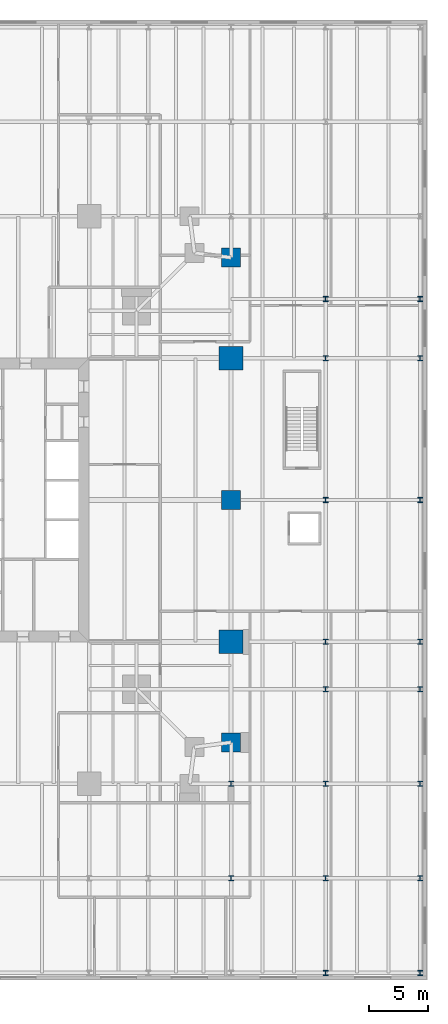
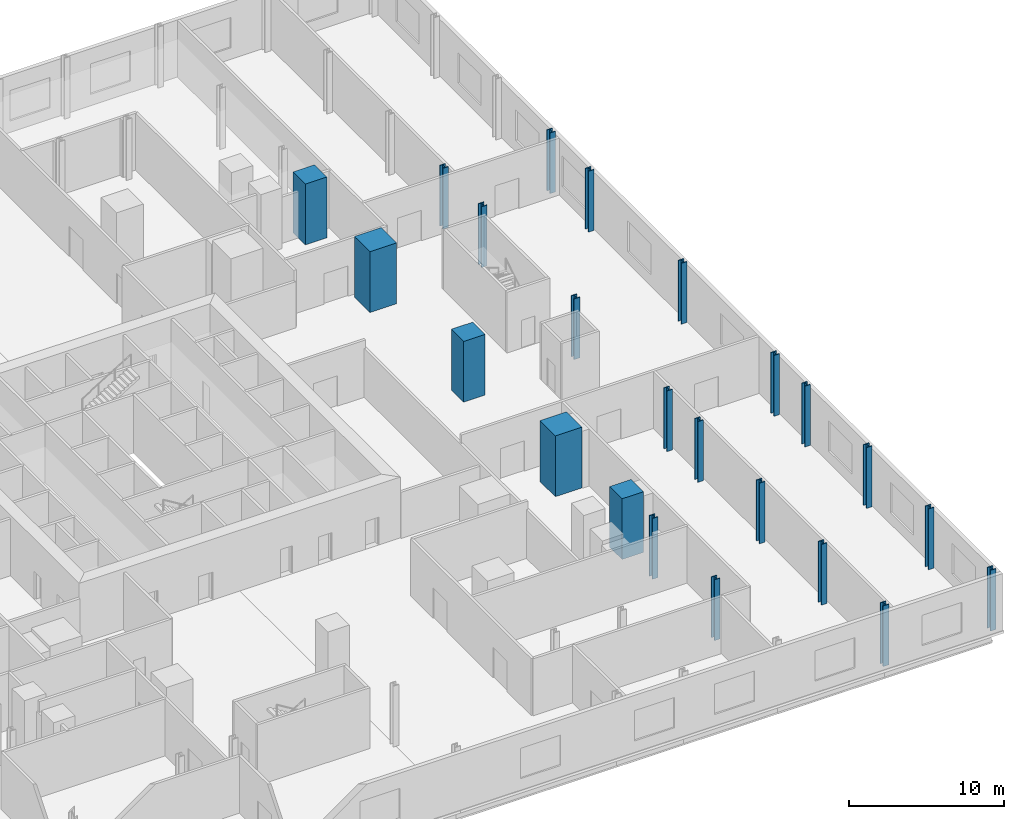
# One storey, part 2 of 16: 23 columns.
"""IFC4 building model written with IfcOpenShell, lengths in metres."""

from ifc_helpers import new_model, si_unit, direction, frame, origin, origin_2d, place, context, subcontext, project, spatial, rectangle, i_section, extrude, material, material_profile, profile_set, type_object, element, save


model = new_model("IFC4")

# Units and contexts
model_context = context("Model", 3, precision=1e-05, world=origin(), true_north=direction((0.0, 1.0)))
body_context = subcontext(model_context, "Body", "Model", "MODEL_VIEW")
ifc_project = project(units=[si_unit("LENGTHUNIT", "METRE"), si_unit("AREAUNIT", "SQUARE_METRE"), si_unit("VOLUMEUNIT", "CUBIC_METRE"), si_unit("PLANEANGLEUNIT", "RADIAN"), si_unit("MASSUNIT", "GRAM", prefix="KILO")], contexts=[model_context])

# Site, building, storey
site_placement = place(None, origin())
site = spatial("IfcSite", under=ifc_project, at=site_placement, CompositionType="ELEMENT")
building_placement = place(site_placement, origin())
building = spatial("IfcBuilding", under=site, at=building_placement, Name="Fenwick Lantern Interchange", CompositionType="ELEMENT")
storey_placement = place(building_placement, frame((0.0, 0.0, 7.0)))
storey = spatial("IfcBuildingStorey", under=building, at=storey_placement, Name="L01", CompositionType="ELEMENT", Elevation=7.0)

# Columns
ifc_material_1 = material(Name="Concrete f'c 70 MPa", Category="concrete")
ifc_material_profile_1 = material_profile(ifc_material_1, rectangle(XDim=1.60009765625, YDim=1.60009765625, at=origin_2d()), Name="RC1600X1600")
ifc_profile_set_1 = profile_set([ifc_material_profile_1], Name="Concrete f'c 70 MPa")
column_type_1 = type_object("IfcColumnType", Name="PERIMETER COLUMN RC1600X1600", PredefinedType="COLUMN", material=ifc_profile_set_1)
for number, where, z_axis, x_axis, name in (
    (1, (49.0, 4.5, 0.0), (0.0, 0.0, 1.0), (1.0, 0.0, 0.0), "L01/CE1"),
    (2, (49.0, 25.0, 0.0), (0.0, 0.0, 1.0), (1.0, 0.0, 0.0), "L01/CE3"),
    (3, (49.0, 45.5, 0.0), (0.0, 0.0, 1.0), (1.0, 0.0, 0.0), "L01/CE5"),
):
    element("IfcColumn", number, at=place(storey_placement, frame(where, z_axis=z_axis, x_axis=x_axis)), inside=storey, type_object=column_type_1, Name=name, PredefinedType="COLUMN", context=body_context, shape_type="SweptSolid", body=[
        extrude(rectangle(XDim=1.60009765625, YDim=1.60009765625, at=origin_2d()), origin(), (0.0, 0.0, 1.0), 4.800048828125),
    ])
ifc_material_profile_2 = material_profile(ifc_material_1, rectangle(XDim=2.0, YDim=2.0, at=origin_2d()), Name="RC2000X2000")
ifc_profile_set_2 = profile_set([ifc_material_profile_2], Name="Concrete f'c 70 MPa")
column_type_2 = type_object("IfcColumnType", Name="PERIMETER COLUMN RC2000X2000", PredefinedType="COLUMN", material=ifc_profile_set_2)
for number, where, z_axis, x_axis, name in (
    (4, (49.0, 13.0, 0.0), (0.0, 0.0, 1.0), (1.0, 0.0, 0.0), "L01/CE2"),
    (5, (49.0, 37.0, 0.0), (0.0, 0.0, 1.0), (1.0, 0.0, 0.0), "L01/CE4"),
):
    element("IfcColumn", number, at=place(storey_placement, frame(where, z_axis=z_axis, x_axis=x_axis)), inside=storey, type_object=column_type_2, Name=name, PredefinedType="COLUMN", context=body_context, shape_type="SweptSolid", body=[
        extrude(rectangle(XDim=2.0, YDim=2.0, at=origin_2d()), origin(), (0.0, 0.0, 1.0), 4.800048828125),
    ])
ifc_material_2 = material(Name="Steel ASTM A992 Grade 50", Category="steel")
ifc_material_profile_3 = material_profile(ifc_material_2, i_section(OverallWidth=0.41650390625, OverallDepth=0.444580078125, WebThickness=0.0390625, FlangeThickness=0.062744140625, at=origin_2d()), Name="W14X342")
ifc_profile_set_3 = profile_set([ifc_material_profile_3], Name="Steel ASTM A992 Grade 50")
column_type_3 = type_object("IfcColumnType", Name="PODIUM COLUMN W14X342", PredefinedType="COLUMN", material=ifc_profile_set_3)
for number, where, z_axis, x_axis, name in (
    (6, (49.0, -7.0, 0.0), (0.0, 0.0, 1.0), (1.0, 0.0, 0.0), "L01/PB9"),
    (7, (49.0, 1.0, 0.0), (0.0, 0.0, 1.0), (1.0, 0.0, 0.0), "L01/PC9"),
    (8, (57.0, -15.0, 0.0), (0.0, 0.0, 1.0), (1.0, 0.0, 0.0), "L01/PA10"),
    (9, (57.0, -7.0, 0.0), (0.0, 0.0, 1.0), (1.0, 0.0, 0.0), "L01/PB10"),
    (10, (57.0, 1.0, 0.0), (0.0, 0.0, 1.0), (1.0, 0.0, 0.0), "L01/PC10"),
    (11, (57.0, 9.0, 0.0), (0.0, 0.0, 1.0), (1.0, 0.0, 0.0), "L01/PD10"),
    (12, (57.0, 13.0, 0.0), (0.0, 0.0, 1.0), (1.0, 0.0, 0.0), "L01/PE10"),
    (13, (57.0, 25.0, 0.0), (0.0, 0.0, 1.0), (1.0, 0.0, 0.0), "L01/PF10"),
    (14, (57.0, 37.0, 0.0), (0.0, 0.0, 1.0), (1.0, 0.0, 0.0), "L01/PG10"),
    (15, (57.0, 42.0, 0.0), (0.0, 0.0, 1.0), (1.0, 0.0, 0.0), "L01/PH10"),
    (16, (65.0, -15.0, 0.0), (0.0, 0.0, 1.0), (1.0, 0.0, 0.0), "L01/PA11"),
    (17, (65.0, -7.0, 0.0), (0.0, 0.0, 1.0), (1.0, 0.0, 0.0), "L01/PB11"),
    (18, (65.0, 1.0, 0.0), (0.0, 0.0, 1.0), (1.0, 0.0, 0.0), "L01/PC11"),
    (19, (65.0, 9.0, 0.0), (0.0, 0.0, 1.0), (1.0, 0.0, 0.0), "L01/PD11"),
    (20, (65.0, 13.0, 0.0), (0.0, 0.0, 1.0), (1.0, 0.0, 0.0), "L01/PE11"),
    (21, (65.0, 25.0, 0.0), (0.0, 0.0, 1.0), (1.0, 0.0, 0.0), "L01/PF11"),
    (22, (65.0, 37.0, 0.0), (0.0, 0.0, 1.0), (1.0, 0.0, 0.0), "L01/PG11"),
    (23, (65.0, 42.0, 0.0), (0.0, 0.0, 1.0), (1.0, 0.0, 0.0), "L01/PH11"),
):
    element("IfcColumn", number, at=place(storey_placement, frame(where, z_axis=z_axis, x_axis=x_axis)), inside=storey, type_object=column_type_3, Name=name, PredefinedType="COLUMN", context=body_context, shape_type="SweptSolid", body=[
        extrude(i_section(OverallWidth=0.41650390625, OverallDepth=0.444580078125, WebThickness=0.0390625, FlangeThickness=0.062744140625, at=origin_2d()), origin(), (0.0, 0.0, 1.0), 4.800048828125),
    ])

save(model, "model.ifc")
